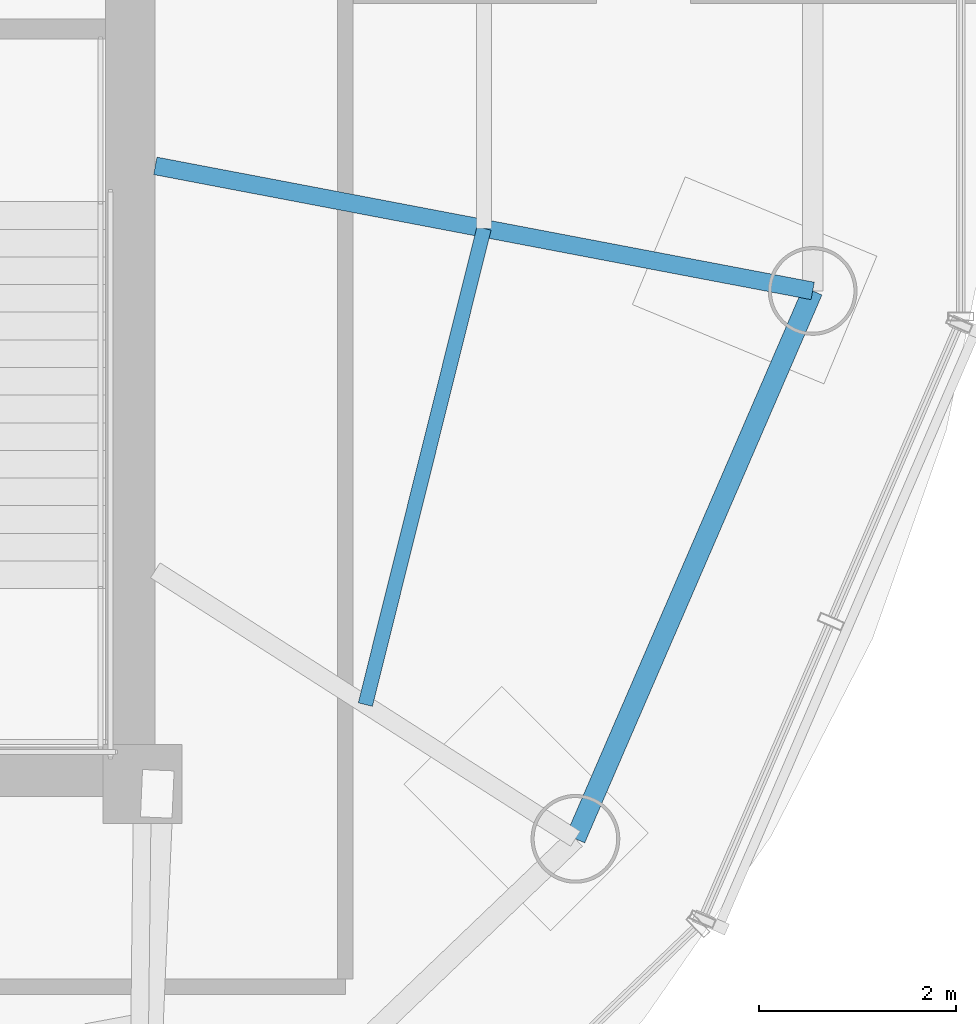
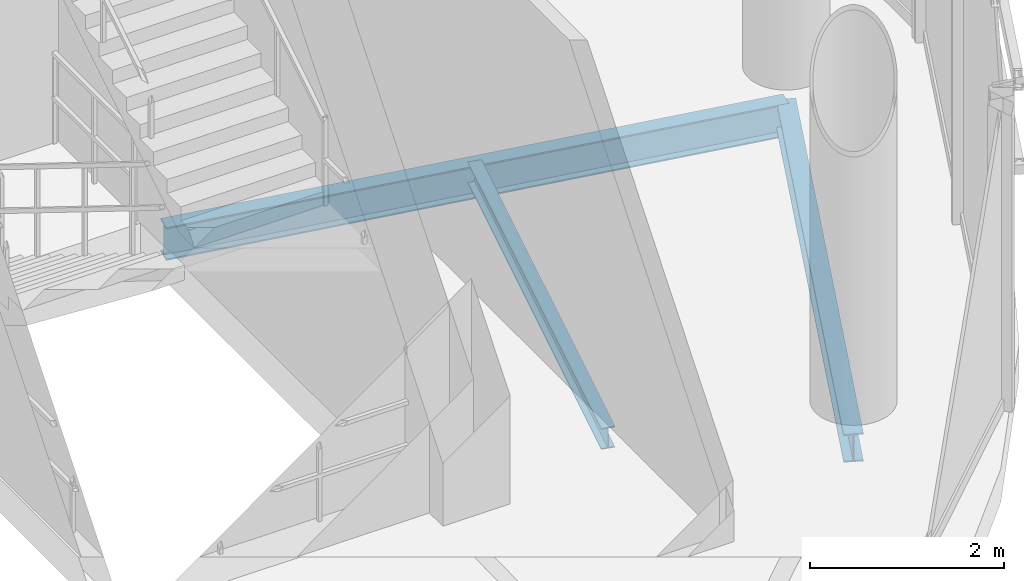
# One storey, part 5 of 15: 3 beams.
"""IFC4 building model written with IfcOpenShell, lengths in metres."""

import ifcopenshell
import ifcopenshell.guid

model = None  # the IFC model being written
_history = None  # IfcOwnerHistory: only IFC2X3 demands one
_inside = {}  # id of a spatial element -> (the spatial element, [elements in it])
_under = {}  # id of a project, library or spatial element -> (it, [spatial elements below it])
_declared = {}  # id of a project -> (the project, [libraries it declares])
_typed = {}  # id of a type object -> (the type object, [elements of that type])
_made_of = {}  # id of a material, layer set ... -> (it, [elements and type objects made of it])


def new_model(schema):
    """Start an empty IFC model of exactly this schema.

    Asked for "IFC4X3", IfcOpenShell would pick the latest addendum, in which some entities
    have other attributes; the version numbers below select the first issue.
    IFC2X3 requires an IfcOwnerHistory on every rooted entity: one is made here for all.
    """
    global model, _history
    if schema == "IFC4X3":
        model = ifcopenshell.file(schema_version=(4, 3, 0, 0))
    else:
        model = ifcopenshell.file(schema=schema)
    _inside.clear()
    _under.clear()
    _declared.clear()
    _typed.clear()
    _made_of.clear()
    _history = None
    if model.schema == "IFC2X3":
        org = make("IfcOrganization", Name="unknown")
        user = make(
            "IfcPersonAndOrganization",
            ThePerson=make("IfcPerson", FamilyName="unknown"),
            TheOrganization=org,
        )
        app = make(
            "IfcApplication",
            ApplicationDeveloper=org,
            Version="unknown",
            ApplicationFullName="unknown",
            ApplicationIdentifier="unknown",
        )
        _history = make(
            "IfcOwnerHistory",
            OwningUser=user,
            OwningApplication=app,
            ChangeAction="ADDED",
            CreationDate=0,
        )
    return model


def make(cls, **values):
    """One entity of the class cls with the attributes given. An attribute that is None is left unset."""
    return model.create_entity(
        cls, **{name: value for name, value in values.items() if value is not None}
    )


def rooted(cls, **values):
    """An entity with a GlobalId (a new one), such as an element, a storey or a relation."""
    return make(cls, GlobalId=ifcopenshell.guid.new(), OwnerHistory=_history, **values)


def si_unit(unit_type, name, prefix=None):
    """IfcSIUnit, for example si_unit("LENGTHUNIT", "METRE", prefix="MILLI")."""
    return make("IfcSIUnit", UnitType=unit_type, Prefix=prefix, Name=name)


def assignment(units):
    """IfcUnitAssignment: the units of a project."""
    return None if units is None else make("IfcUnitAssignment", Units=units)


def point(xyz):
    """IfcCartesianPoint."""
    return None if xyz is None else make("IfcCartesianPoint", Coordinates=xyz)


def direction(xyz):
    """IfcDirection."""
    return None if xyz is None else make("IfcDirection", DirectionRatios=xyz)


def frame(location, z_axis=None, x_axis=None):
    """IfcAxis2Placement3D, a coordinate frame: its origin and axes. An axis left out is left unset."""
    return make(
        "IfcAxis2Placement3D",
        Location=point(location),
        Axis=direction(z_axis),
        RefDirection=direction(x_axis),
    )


def frame_2d(location, x_axis=None):
    """IfcAxis2Placement2D, a coordinate frame in the plane: its origin and x axis."""
    return make(
        "IfcAxis2Placement2D", Location=point(location), RefDirection=direction(x_axis)
    )


def origin():
    """The frame at (0, 0, 0) with its axes left unset."""
    return frame((0.0, 0.0, 0.0))


def origin_2d():
    """The frame at (0, 0) in the plane with its x axis left unset."""
    return frame_2d((0.0, 0.0))


def place(relative_to, where):
    """IfcLocalPlacement: puts the frame where relative to a parent placement (None: the world)."""
    return make(
        "IfcLocalPlacement", PlacementRelTo=relative_to, RelativePlacement=where
    )


def context(
    kind, dimensions, precision=None, world=None, true_north=None, identifier=None
):
    """IfcGeometricRepresentationContext, for example the 3D "Model" context."""
    return make(
        "IfcGeometricRepresentationContext",
        ContextIdentifier=identifier,
        ContextType=kind,
        CoordinateSpaceDimension=dimensions,
        Precision=precision,
        WorldCoordinateSystem=world,
        TrueNorth=true_north,
    )


def subcontext(parent, identifier, kind, view, scale=None):
    """IfcGeometricRepresentationSubContext, for example "Body" below "Model"."""
    return make(
        "IfcGeometricRepresentationSubContext",
        ContextIdentifier=identifier,
        ContextType=kind,
        ParentContext=parent,
        TargetScale=scale,
        TargetView=view,
    )


def project(units=None, contexts=None):
    """IfcProject with its units and contexts."""
    return rooted(
        "IfcProject",
        Name="project",
        RepresentationContexts=contexts,
        UnitsInContext=assignment(units),
    )


def spatial(cls, under=None, at=None, **own):
    """A site, building, storey or space (cls), placed at a placement, below another one or the project."""
    s = rooted(cls, ObjectPlacement=at, **own)
    if under is not None:
        _under.setdefault(under.id(), (under, []))[1].append(s)
    return s


def profile(cls, at=None, kind="AREA", **sizes):
    """A parametric profile (cls). Its sizes go by their IFC names, for example OverallWidth=200.0."""
    return make(cls, ProfileType=kind, Position=at, **sizes)


def i_section(**sizes):
    """IfcIShapeProfileDef."""
    return profile("IfcIShapeProfileDef", **sizes)


def extrude(swept, where, along, depth):
    """IfcExtrudedAreaSolid: the profile swept, set in the frame where, extruded along a direction by depth."""
    return make(
        "IfcExtrudedAreaSolid",
        SweptArea=swept,
        Position=where,
        ExtrudedDirection=direction(along),
        Depth=depth,
    )


def shape(context_of_items, identifier, shape_type, items):
    """IfcShapeRepresentation: the items that make up one representation, for example the "Body"."""
    return make(
        "IfcShapeRepresentation",
        ContextOfItems=context_of_items,
        RepresentationIdentifier=identifier,
        RepresentationType=shape_type,
        Items=items,
    )


def material(Name=None, Category=None):
    """IfcMaterial."""
    return make("IfcMaterial", Name=Name, Category=Category)


def material_profile(
    of_material, cross_section, Name=None, Category=None, Priority=None
):
    """IfcMaterialProfile: a cross section and its material."""
    return make(
        "IfcMaterialProfile",
        Name=Name,
        Material=of_material,
        Profile=cross_section,
        Priority=Priority,
        Category=Category,
    )


def profile_set(profiles, Name=None, composite=None):
    """IfcMaterialProfileSet."""
    return make(
        "IfcMaterialProfileSet",
        Name=Name,
        MaterialProfiles=profiles,
        CompositeProfile=composite,
    )


def made_of(thing, what):
    """Note that an element or type object is made of a material, layer set ...; save() writes the relation."""
    if what is not None:
        _made_of.setdefault(what.id(), (what, []))[1].append(thing)
    return thing


def type_object(cls, material=None, **own):
    """A type object (cls), such as IfcWallType, which elements share."""
    return made_of(rooted(cls, **own), material)


def element(
    cls,
    number,
    at=None,
    inside=None,
    cuts=None,
    type_object=None,
    material=None,
    context=None,
    identifier="Body",
    shape_type=None,
    held_by="IfcProductDefinitionShape",
    body=None,
    shapes=None,
    **own,
):
    """One element of the class cls, such as IfcWall. Its Tag is "e" and its number.

    at: its placement. inside: the storey or other place that contains it. cuts: it is an
    opening in that element (IfcRelVoidsElement). A single representation is given by context,
    identifier, shape_type and body (its items); several are given by shapes. held_by: the class
    of the entity that holds the representations. save() writes the other relations.
    """
    e = rooted(cls, Tag="e%d" % number, ObjectPlacement=at, **own)
    if body is not None:
        shapes = [shape(context, identifier, shape_type, body)]
    if shapes is not None:
        e.Representation = make(held_by, Representations=shapes)
    if inside is not None:
        _inside.setdefault(inside.id(), (inside, []))[1].append(e)
    if cuts is not None:
        rooted(
            "IfcRelVoidsElement", RelatingBuildingElement=cuts, RelatedOpeningElement=e
        )
    if type_object is not None:
        _typed.setdefault(type_object.id(), (type_object, []))[1].append(e)
    return made_of(e, material)


def aggregate(whole, parts):
    """IfcRelAggregates: a whole, such as a stair, and the parts it consists of."""
    return rooted("IfcRelAggregates", RelatingObject=whole, RelatedObjects=parts)


def save(model, path):
    """Write the relations noted so far, then the file.

    IfcRelAggregates (storeys below a building ...), IfcRelContainedInSpatialStructure (elements
    in a storey), IfcRelDefinesByType, IfcRelAssociatesMaterial and IfcRelDeclares: one each for
    every whole, place, type object, material and project.
    """
    for whole, parts in _under.values():
        aggregate(whole, parts)
    for where, things in _inside.values():
        rooted(
            "IfcRelContainedInSpatialStructure",
            RelatedElements=things,
            RelatingStructure=where,
        )
    for kind, things in _typed.values():
        rooted("IfcRelDefinesByType", RelatedObjects=things, RelatingType=kind)
    for what, things in _made_of.values():
        rooted("IfcRelAssociatesMaterial", RelatedObjects=things, RelatingMaterial=what)
    for by, libraries in _declared.values():
        rooted("IfcRelDeclares", RelatingContext=by, RelatedDefinitions=libraries)
    model.write(path)


model = new_model("IFC4")

# Units and contexts
model_context = context("Model", 3, precision=1e-05, world=origin(), true_north=direction((-0.2419218956, 0.970295726276)))
body_context = subcontext(model_context, "Body", "Model", "MODEL_VIEW")
ifc_project = project(units=[si_unit("LENGTHUNIT", "METRE"), si_unit("AREAUNIT", "SQUARE_METRE"), si_unit("VOLUMEUNIT", "CUBIC_METRE"), si_unit("PLANEANGLEUNIT", "RADIAN"), si_unit("MASSUNIT", "GRAM", prefix="KILO")], contexts=[model_context])

# Site, building, storey
site_placement = place(None, origin())
site = spatial("IfcSite", under=ifc_project, at=site_placement, CompositionType="ELEMENT")
building_placement = place(site_placement, origin())
building = spatial("IfcBuilding", under=site, at=building_placement, Name="Cobrevalo Terracotta Tower", CompositionType="ELEMENT")
storey_placement = place(building_placement, frame((0.0, 0.0, 316.5)))
storey = spatial("IfcBuildingStorey", under=building, at=storey_placement, Name="L82", CompositionType="ELEMENT", Elevation=316.5)

# Beams
ifc_material = material(Name="Steel S355", Category="steel")
ifc_material_profile_1 = material_profile(ifc_material, i_section(OverallWidth=0.179931640625, OverallDepth=0.4130859375, WebThickness=0.009765625, FlangeThickness=0.01611328125, at=origin_2d()), Name="W 410x75")
ifc_profile_set_1 = profile_set([ifc_material_profile_1], Name="Steel S355")
beam_type_1 = type_object("IfcBeamType", Name="Structural Beam W 410x75 (Steel S355)", PredefinedType="BEAM", material=ifc_profile_set_1)
beam_1_placement = place(storey_placement, frame((53.79052734375, 23.795654296875, -0.62646484375), z_axis=(-0.982375422254, 0.186918510993, 0.0), x_axis=(-0.186918510993, -0.982375422254, 0.0)))
element("IfcBeam", 1, at=beam_1_placement, inside=storey, type_object=beam_type_1, Name="L82 radial floor girder 16", PredefinedType="BEAM", context=body_context, shape_type="SweptSolid", body=[
    extrude(i_section(OverallWidth=0.179931640625, OverallDepth=0.4130859375, WebThickness=0.009765625, FlangeThickness=0.01611328125, at=origin_2d()), origin(), (0.0, 0.0, 1.0), 6.780029296875),
])
ifc_material_profile_2 = material_profile(ifc_material, i_section(OverallWidth=0.14794921875, OverallDepth=0.26611328125, WebThickness=0.007568359375, FlangeThickness=0.012939453125, at=origin_2d()), Name="W 250x44.8")
ifc_profile_set_2 = profile_set([ifc_material_profile_2], Name="Steel S355")
beam_type_2 = type_object("IfcBeamType", Name="Structural Joist W 250x44.8 (Steel S355)", PredefinedType="JOIST", material=ifc_profile_set_2)
beam_2_placement = place(storey_placement, frame((49.25830078125, 19.6044921875, -0.552978515625), z_axis=(0.241726809757, 0.97034434581, 0.0), x_axis=(-0.97034434581, 0.241726809757, 0.0)))
element("IfcBeam", 2, at=beam_2_placement, inside=storey, type_object=beam_type_2, Name="L82 circumferential secondary floor joist 15", PredefinedType="JOIST", context=body_context, shape_type="SweptSolid", body=[
    extrude(i_section(OverallWidth=0.14794921875, OverallDepth=0.26611328125, WebThickness=0.007568359375, FlangeThickness=0.012939453125, at=origin_2d()), origin(), (0.0, 0.0, 1.0), 4.97216796875),
])
ifc_material_profile_3 = material_profile(ifc_material, i_section(OverallWidth=0.205078125, OverallDepth=0.35400390625, WebThickness=0.009521484375, FlangeThickness=0.016845703125, at=origin_2d()), Name="W 360x79")
ifc_profile_set_3 = profile_set([ifc_material_profile_3], Name="Steel S355")
beam_type_3 = type_object("IfcBeamType", Name="Structural Spandrel W 360x79 (Steel S355)", PredefinedType="SPANDREL", material=ifc_profile_set_3)
beam_3_placement = place(storey_placement, frame((51.38671875, 18.244140625, -0.596923828125), z_axis=(0.397350333227, 0.91766699444, 0.0), x_axis=(-0.91766699444, 0.397350333227, 0.0)))
element("IfcBeam", 3, at=beam_3_placement, inside=storey, type_object=beam_type_3, Name="L82 perimeter ring spandrel 15", PredefinedType="SPANDREL", context=body_context, shape_type="SweptSolid", body=[
    extrude(i_section(OverallWidth=0.205078125, OverallDepth=0.35400390625, WebThickness=0.009521484375, FlangeThickness=0.016845703125, at=origin_2d()), origin(), (0.0, 0.0, 1.0), 6.049560546875),
])

save(model, "model.ifc")
